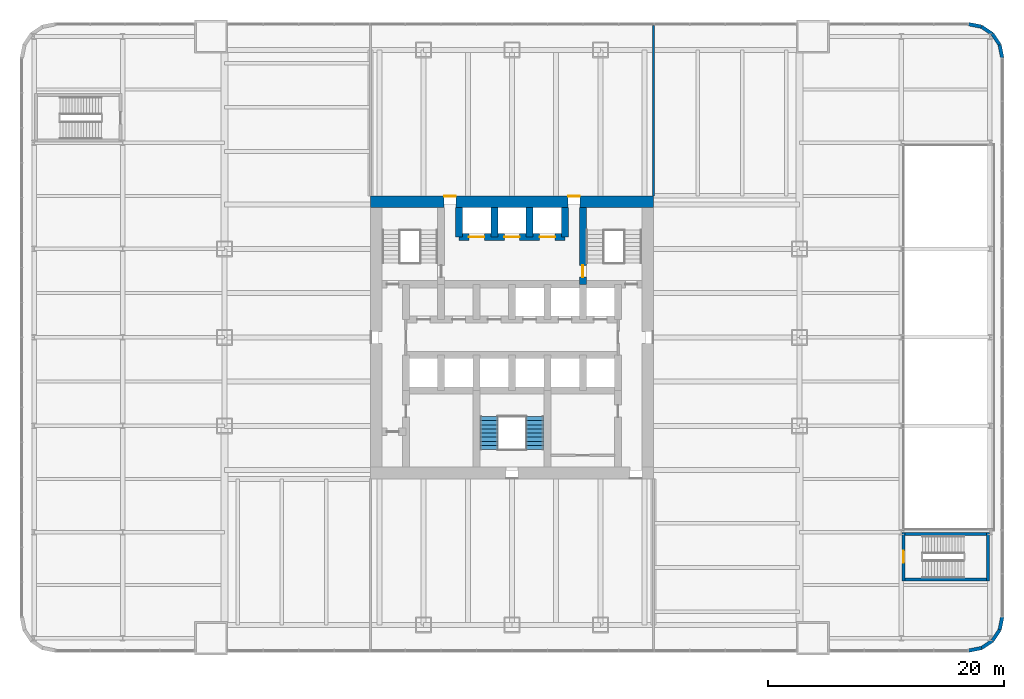
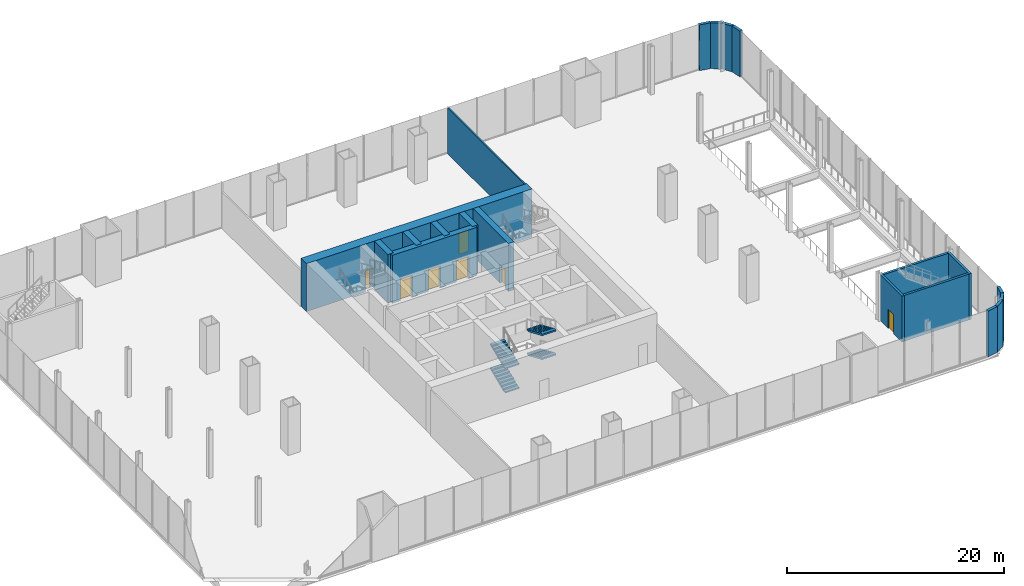
# One storey, part 13 of 16: 20 walls, 7 doors, 4 stair flights, 7 openings, 1 element without a shape of its own.
"""IFC4 building model written with IfcOpenShell, lengths in metres."""

from ifc_helpers import new_model, si_unit, direction, frame, frame_2d, origin, place, context, subcontext, project, spatial, polyline, rectangle, outline, extrude, material, layer, layer_set, type_object, element, fill, aggregate, save


model = new_model("IFC4")

# Units and contexts
model_context = context("Model", 3, precision=1e-05, world=origin(), true_north=direction((0.0, 1.0)))
body_context = subcontext(model_context, "Body", "Model", "MODEL_VIEW")
ifc_project = project(units=[si_unit("LENGTHUNIT", "METRE"), si_unit("AREAUNIT", "SQUARE_METRE"), si_unit("VOLUMEUNIT", "CUBIC_METRE"), si_unit("PLANEANGLEUNIT", "RADIAN"), si_unit("MASSUNIT", "GRAM", prefix="KILO")], contexts=[model_context])

# Site, building, storey
site_placement = place(None, origin())
site = spatial("IfcSite", under=ifc_project, at=site_placement, CompositionType="ELEMENT")
building_placement = place(site_placement, origin())
building = spatial("IfcBuilding", under=site, at=building_placement, Name="Tarangal Relay Tower", CompositionType="ELEMENT")
storey_placement = place(building_placement, frame((0.0, 0.0, 7.199951171875)))
storey = spatial("IfcBuildingStorey", under=building, at=storey_placement, Name="L01", CompositionType="ELEMENT", Elevation=7.199951171875)

# Wall, openings, doors
ifc_material_1 = material(Name="Concrete fc' 60 MPa", Category="concrete")
ifc_layer_1 = layer(ifc_material_1, 0.60009765625)
ifc_layer_set_1 = layer_set([ifc_layer_1], Name="Core inner wall 600")
wall_type_1 = type_object("IfcWallType", Name="Core inner wall 600", PredefinedType="SHEAR", material=ifc_layer_set_1)
wall_1_placement = place(storey_placement, frame((-4.5, 8.5, 0.0), z_axis=(0.0, 0.0, 1.0), x_axis=(1.0, 0.0, 0.0)))
wall_1 = element("IfcWall", 1, at=wall_1_placement, inside=storey, type_object=wall_type_1, Name="Core wall Y85 L01", PredefinedType="SHEAR", context=body_context, shape_type="SweptSolid", body=[
    extrude(rectangle(XDim=9.0, YDim=0.60009765625, at=frame_2d((4.5, 0.0))), origin(), (0.0, 0.0, 1.0), 5.400146484375),
])
opening_1_placement = place(wall_1_placement, frame((0.85009765625, 0.0, 0.0)))
opening_1 = element("IfcOpeningElement", 2, at=opening_1_placement, cuts=wall_1, Name="Opening LD2", PredefinedType="OPENING", context=body_context, shape_type="SweptSolid", body=[
    extrude(rectangle(XDim=1.300048828125, YDim=2.39990234375, at=frame_2d((0.64990234375, 1.199951171875))), frame((0.0, 0.31005859375, 0.0), z_axis=(0.0, -1.0, 0.0), x_axis=(1.0, 0.0, 0.0)), (0.0, 0.0, 1.0), 0.6201171875),
])
opening_2_placement = place(wall_1_placement, frame((6.85009765625, 0.0, 0.0)))
opening_2 = element("IfcOpeningElement", 3, at=opening_2_placement, cuts=wall_1, Name="Opening LD2", PredefinedType="OPENING", context=body_context, shape_type="SweptSolid", body=[
    extrude(rectangle(XDim=1.300048828125, YDim=2.39990234375, at=frame_2d((0.64990234375, 1.199951171875))), frame((0.0, 0.31005859375, 0.0), z_axis=(0.0, -1.0, 0.0), x_axis=(1.0, 0.0, 0.0)), (0.0, 0.0, 1.0), 0.6201171875),
])
opening_3_placement = place(wall_1_placement, frame((3.85009765625, 0.0, 0.0)))
opening_3 = element("IfcOpeningElement", 4, at=opening_3_placement, cuts=wall_1, Name="Opening LD2", PredefinedType="OPENING", context=body_context, shape_type="SweptSolid", body=[
    extrude(rectangle(XDim=1.300048828125, YDim=2.39990234375, at=frame_2d((0.64990234375, 1.199951171875))), frame((0.0, 0.31005859375, 0.0), z_axis=(0.0, -1.0, 0.0), x_axis=(1.0, 0.0, 0.0)), (0.0, 0.0, 1.0), 0.6201171875),
])
ifc_material_2 = material(Name="Steel door with hardwood frame", Category="steel")
door_type_1 = type_object("IfcDoorType", Name="Lift landing door 1300 x 2400", OperationType="SLIDING_TO_LEFT", PredefinedType="DOOR", material=ifc_material_2)
door_1_placement = place(opening_1_placement, origin())
door_1 = element("IfcDoor", 5, at=door_1_placement, inside=storey, type_object=door_type_1, Name="Lift FF1 landing door L01", OperationType="SLIDING_TO_LEFT", OverallHeight=2.39990234375, OverallWidth=1.300048828125, PredefinedType="DOOR", context=body_context, shape_type="SweptSolid", body=[
    extrude(rectangle(XDim=1.300048828125, YDim=2.39990234375, at=frame_2d((0.64990234375, 1.199951171875))), frame((0.0, 0.02490234375, 0.0), z_axis=(0.0, -1.0, 0.0), x_axis=(1.0, 0.0, 0.0)), (0.0, 0.0, 1.0), 0.050048828125),
])
fill(opening_1, door_1)
door_2_placement = place(opening_2_placement, origin())
door_2 = element("IfcDoor", 6, at=door_2_placement, inside=storey, type_object=door_type_1, Name="Lift FF2 landing door L01", OperationType="SLIDING_TO_LEFT", OverallHeight=2.39990234375, OverallWidth=1.300048828125, PredefinedType="DOOR", context=body_context, shape_type="SweptSolid", body=[
    extrude(rectangle(XDim=1.300048828125, YDim=2.39990234375, at=frame_2d((0.64990234375, 1.199951171875))), frame((0.0, 0.02490234375, 0.0), z_axis=(0.0, -1.0, 0.0), x_axis=(1.0, 0.0, 0.0)), (0.0, 0.0, 1.0), 0.050048828125),
])
fill(opening_2, door_2)
door_3_placement = place(opening_3_placement, origin())
door_3 = element("IfcDoor", 7, at=door_3_placement, inside=storey, type_object=door_type_1, Name="Lift SV1 landing door L01", OperationType="SLIDING_TO_LEFT", OverallHeight=2.39990234375, OverallWidth=1.300048828125, PredefinedType="DOOR", context=body_context, shape_type="SweptSolid", body=[
    extrude(rectangle(XDim=1.300048828125, YDim=2.39990234375, at=frame_2d((0.64990234375, 1.199951171875))), frame((0.0, 0.02490234375, 0.0), z_axis=(0.0, -1.0, 0.0), x_axis=(1.0, 0.0, 0.0)), (0.0, 0.0, 1.0), 0.050048828125),
])
fill(opening_3, door_3)

# Wall, opening, door
wall_2_placement = place(storey_placement, frame((6.0, 4.5, 0.0), z_axis=(0.0, 0.0, 1.0), x_axis=(0.0, 1.0, 0.0)))
wall_2 = element("IfcWall", 8, at=wall_2_placement, inside=storey, type_object=wall_type_1, Name="Core wall X6 L01", PredefinedType="SHEAR", context=body_context, shape_type="SweptSolid", body=[
    extrude(rectangle(XDim=6.5, YDim=0.60009765625, at=frame_2d((3.25, 0.0))), origin(), (0.0, 0.0, 1.0), 5.400146484375),
])
opening_4_placement = place(wall_2_placement, frame((0.60009765625, 0.0, 0.0)))
opening_4 = element("IfcOpeningElement", 9, at=opening_4_placement, cuts=wall_2, Name="Opening FD1", PredefinedType="OPENING", context=body_context, shape_type="SweptSolid", body=[
    extrude(rectangle(XDim=1.0, YDim=2.10009765625, at=frame_2d((0.5, 1.050048828125))), frame((0.0, 0.31005859375, 0.0), z_axis=(0.0, -1.0, 0.0), x_axis=(1.0, 0.0, 0.0)), (0.0, 0.0, 1.0), 0.6201171875),
])
door_type_2 = type_object("IfcDoorType", Name="Fire door 1000 x 2100", OperationType="SINGLE_SWING_LEFT", PredefinedType="DOOR", material=ifc_material_2)
door_4_placement = place(opening_4_placement, origin())
door_4 = element("IfcDoor", 10, at=door_4_placement, inside=storey, type_object=door_type_2, Name="Stair ST-B door from fire-fighting lobby L01", OperationType="SINGLE_SWING_LEFT", OverallHeight=2.10009765625, OverallWidth=1.0, PredefinedType="DOOR", context=body_context, shape_type="SweptSolid", body=[
    extrude(rectangle(XDim=1.0, YDim=2.10009765625, at=frame_2d((0.5, 1.050048828125))), frame((0.0, 0.02490234375, 0.0), z_axis=(0.0, -1.0, 0.0), x_axis=(1.0, 0.0, 0.0)), (0.0, 0.0, 1.0), 0.050048828125),
])
fill(opening_4, door_4)

# Walls
for number, where, z_axis, x_axis, name in (
    (11, (-4.5, 8.5, 0.0), (0.0, 0.0, 1.0), (0.0, 1.0, 0.0), "Core wall XM45 L01"),
    (12, (4.5, 8.5, 0.0), (0.0, 0.0, 1.0), (0.0, 1.0, 0.0), "Core wall X45 L01"),
    (13, (-1.5, 8.5, 0.0), (0.0, 0.0, 1.0), (0.0, 1.0, 0.0), "Core wall XM15 L01"),
    (14, (1.5, 8.5, 0.0), (0.0, 0.0, 1.0), (0.0, 1.0, 0.0), "Core wall X15 L01"),
):
    element("IfcWall", number, at=place(storey_placement, frame(where, z_axis=z_axis, x_axis=x_axis)), inside=storey, type_object=wall_type_1, Name=name, PredefinedType="SHEAR", context=body_context, shape_type="SweptSolid", body=[
        extrude(rectangle(XDim=2.5, YDim=0.60009765625, at=frame_2d((1.25, 0.0))), origin(), (0.0, 0.0, 1.0), 5.400146484375),
    ])

# Wall, openings, doors
ifc_layer_2 = layer(ifc_material_1, 1.0)
ifc_layer_set_2 = layer_set([ifc_layer_2], Name="Core wall 1000")
wall_type_2 = type_object("IfcWallType", Name="Core wall 1000", PredefinedType="SHEAR", material=ifc_layer_set_2)
wall_3_placement = place(storey_placement, frame((-12.0, 11.5, 0.0), z_axis=(0.0, 0.0, 1.0), x_axis=(1.0, 0.0, 0.0)))
wall_3 = element("IfcWall", 15, at=wall_3_placement, inside=storey, type_object=wall_type_2, Name="Core wall N L01", PredefinedType="SHEAR", context=body_context, shape_type="SweptSolid", body=[
    extrude(rectangle(XDim=24.0, YDim=1.0, at=frame_2d((12.0, 0.0))), origin(), (0.0, 0.0, 1.0), 5.400146484375),
])
opening_5_placement = place(wall_3_placement, frame((6.25, 0.0, 0.0)))
opening_5 = element("IfcOpeningElement", 16, at=opening_5_placement, cuts=wall_3, Name="Opening FD3", PredefinedType="OPENING", context=body_context, shape_type="SweptSolid", body=[
    extrude(rectangle(XDim=1.0, YDim=2.39990234375, at=frame_2d((0.5, 1.199951171875))), frame((0.0, 0.510009765625, 0.0), z_axis=(0.0, -1.0, 0.0), x_axis=(1.0, 0.0, 0.0)), (0.0, 0.0, 1.0), 1.02001953125),
])
opening_6_placement = place(wall_3_placement, frame((16.75, 0.0, 0.0)))
opening_6 = element("IfcOpeningElement", 17, at=opening_6_placement, cuts=wall_3, Name="Opening FD3", PredefinedType="OPENING", context=body_context, shape_type="SweptSolid", body=[
    extrude(rectangle(XDim=1.0, YDim=2.39990234375, at=frame_2d((0.5, 1.199951171875))), frame((0.0, 0.510009765625, 0.0), z_axis=(0.0, -1.0, 0.0), x_axis=(1.0, 0.0, 0.0)), (0.0, 0.0, 1.0), 1.02001953125),
])
door_type_3 = type_object("IfcDoorType", Name="Fire door 1000 x 2400 core entry", OperationType="SINGLE_SWING_RIGHT", PredefinedType="DOOR", material=ifc_material_2)
door_5_placement = place(opening_5_placement, origin())
door_5 = element("IfcDoor", 18, at=door_5_placement, inside=storey, type_object=door_type_3, Name="Core entry door north west L01", OperationType="SINGLE_SWING_RIGHT", OverallHeight=2.39990234375, OverallWidth=1.0, PredefinedType="DOOR", context=body_context, shape_type="SweptSolid", body=[
    extrude(rectangle(XDim=1.0, YDim=2.39990234375, at=frame_2d((0.5, 1.199951171875))), frame((0.0, 0.48486328125, 0.0), z_axis=(0.0, -1.0, 0.0), x_axis=(1.0, 0.0, 0.0)), (0.0, 0.0, 1.0), 0.050048828125),
])
fill(opening_5, door_5)
door_6_placement = place(opening_6_placement, origin())
door_6 = element("IfcDoor", 19, at=door_6_placement, inside=storey, type_object=door_type_3, Name="Core entry door north east L01", OperationType="SINGLE_SWING_RIGHT", OverallHeight=2.39990234375, OverallWidth=1.0, PredefinedType="DOOR", context=body_context, shape_type="SweptSolid", body=[
    extrude(rectangle(XDim=1.0, YDim=2.39990234375, at=frame_2d((0.5, 1.199951171875))), frame((0.0, 0.48486328125, 0.0), z_axis=(0.0, -1.0, 0.0), x_axis=(1.0, 0.0, 0.0)), (0.0, 0.0, 1.0), 0.050048828125),
])
fill(opening_6, door_6)

# Walls
ifc_material_3 = material(Name="Gypsum board on steel studs", Category="steel")
ifc_layer_3 = layer(ifc_material_3, 0.14990234375)
ifc_layer_set_3 = layer_set([ifc_layer_3], Name="Partition 150")
wall_type_3 = type_object("IfcWallType", Name="Partition 150", PredefinedType="PARTITIONING", material=ifc_layer_set_3)
wall_4_placement = place(storey_placement, frame((12.0, 12.0, 0.0), z_axis=(0.0, 0.0, 1.0), x_axis=(0.0, 1.0, 0.0)))
element("IfcWall", 20, at=wall_4_placement, inside=storey, type_object=wall_type_3, Name="Partition PT1 L01", PredefinedType="PARTITIONING", context=body_context, shape_type="SweptSolid", body=[
    extrude(rectangle(XDim=14.449951171875, YDim=0.14990234375, at=frame_2d((7.22509765625, 0.0))), origin(), (0.0, 0.0, 1.0), 5.150146484375),
])
ifc_material_4 = material(Name="Black granite clad concrete wall", Category="masonry")
ifc_layer_4 = layer(ifc_material_4, 0.300048828125)
ifc_layer_set_4 = layer_set([ifc_layer_4], Name="Podium wall 300")
wall_type_4 = type_object("IfcWallType", Name="Podium wall 300", PredefinedType="SOLIDWALL", material=ifc_layer_set_4)
for number, where, z_axis, x_axis, name in (
    (21, (41.550048828125, 23.699951171875, 0.0), (0.0, 0.0, 1.0), (-0.195187147506, 0.980766015647, 0.0), "Podium corner wall L01"),
    (22, (41.3330078125, 24.79052734375, 0.0), (0.0, 0.0, 1.0), (-0.555409243355, 0.831577159616, 0.0), "Podium corner wall L01"),
    (23, (40.71533203125, 25.71533203125, 0.0), (0.0, 0.0, 1.0), (-0.831577159616, 0.555409243355, 0.0), "Podium corner wall L01"),
    (24, (39.79052734375, 26.3330078125, 0.0), (0.0, 0.0, 1.0), (-0.980766015647, 0.195187147506, 0.0), "Podium corner wall L01"),
    (25, (38.699951171875, -26.550048828125, 0.0), (0.0, 0.0, 1.0), (0.980766015647, 0.195187147506, 0.0), "Podium corner wall L01"),
    (26, (39.79052734375, -26.3330078125, 0.0), (0.0, 0.0, 1.0), (0.831577159616, 0.555409243355, 0.0), "Podium corner wall L01"),
    (27, (40.71533203125, -25.71533203125, 0.0), (0.0, 0.0, 1.0), (0.555409243355, 0.831577159616, 0.0), "Podium corner wall L01"),
    (28, (41.3330078125, -24.79052734375, 0.0), (0.0, 0.0, 1.0), (0.195187147506, 0.980766015647, 0.0), "Podium corner wall L01"),
):
    element("IfcWall", number, at=place(storey_placement, frame(where, z_axis=z_axis, x_axis=x_axis)), inside=storey, type_object=wall_type_4, Name=name, PredefinedType="SOLIDWALL", context=body_context, shape_type="SweptSolid", body=[
        extrude(rectangle(XDim=1.112060546875, YDim=0.300048828125, at=frame_2d((0.55615234375, 0.0))), origin(), (0.0, 0.0, 1.0), 5.150146484375),
    ])

# Wall, opening, door
ifc_material_5 = material(Name="Concrete blockwork", Category="masonry")
ifc_layer_5 = layer(ifc_material_5, 0.25)
ifc_layer_set_5 = layer_set([ifc_layer_5], Name="Stair enclosure wall 250")
wall_type_5 = type_object("IfcWallType", Name="Stair enclosure wall 250", PredefinedType="SOLIDWALL", material=ifc_layer_set_5)
wall_5_placement = place(storey_placement, frame((33.175048828125, -20.64990234375, 0.0), z_axis=(0.0, 0.0, 1.0), x_axis=(0.0, 1.0, 0.0)))
wall_5 = element("IfcWall", 29, at=wall_5_placement, inside=storey, type_object=wall_type_5, Name="Stair ST-E enclosure wall L01", PredefinedType="SOLIDWALL", context=body_context, shape_type="SweptSolid", body=[
    extrude(rectangle(XDim=4.099853515625, YDim=0.25, at=frame_2d((2.0498046875, 0.0))), origin(), (0.0, 0.0, 1.0), 5.150146484375),
])
opening_7_placement = place(wall_5_placement, frame((1.550048828125, 0.0, 0.0)))
opening_7 = element("IfcOpeningElement", 30, at=opening_7_placement, cuts=wall_5, Name="Opening FD1", PredefinedType="OPENING", context=body_context, shape_type="SweptSolid", body=[
    extrude(rectangle(XDim=1.0, YDim=2.10009765625, at=frame_2d((0.5, 1.050048828125))), frame((0.0, 0.135009765625, 0.0), z_axis=(0.0, -1.0, 0.0), x_axis=(1.0, 0.0, 0.0)), (0.0, 0.0, 1.0), 0.27001953125),
])
door_7_placement = place(opening_7_placement, origin())
door_7 = element("IfcDoor", 31, at=door_7_placement, inside=storey, type_object=door_type_2, Name="Stair ST-E door L01", OperationType="SINGLE_SWING_LEFT", OverallHeight=2.10009765625, OverallWidth=1.0, PredefinedType="DOOR", context=body_context, shape_type="SweptSolid", body=[
    extrude(rectangle(XDim=1.0, YDim=2.10009765625, at=frame_2d((0.5, 1.050048828125))), frame((0.0, 0.02490234375, 0.0), z_axis=(0.0, -1.0, 0.0), x_axis=(1.0, 0.0, 0.0)), (0.0, 0.0, 1.0), 0.050048828125),
])
fill(opening_7, door_7)

# Walls
wall_6_placement = place(storey_placement, frame((40.324951171875, -20.64990234375, 0.0), z_axis=(0.0, 0.0, 1.0), x_axis=(0.0, 1.0, 0.0)))
element("IfcWall", 32, at=wall_6_placement, inside=storey, type_object=wall_type_5, Name="Stair ST-E enclosure wall L01", PredefinedType="SOLIDWALL", context=body_context, shape_type="SweptSolid", body=[
    extrude(rectangle(XDim=4.099853515625, YDim=0.25, at=frame_2d((2.0498046875, 0.0))), origin(), (0.0, 0.0, 1.0), 5.150146484375),
])
for number, where, z_axis, x_axis, name in (
    (33, (33.300048828125, -20.52490234375, 0.0), (0.0, 0.0, 1.0), (1.0, 0.0, 0.0), "Stair ST-E enclosure wall L01"),
    (34, (33.300048828125, -16.675048828125, 0.0), (0.0, 0.0, 1.0), (1.0, 0.0, 0.0), "Stair ST-E enclosure wall L01"),
):
    element("IfcWall", number, at=place(storey_placement, frame(where, z_axis=z_axis, x_axis=x_axis)), inside=storey, type_object=wall_type_5, Name=name, PredefinedType="SOLIDWALL", context=body_context, shape_type="SweptSolid", body=[
        extrude(rectangle(XDim=6.89990234375, YDim=0.25, at=frame_2d((3.449951171875, 0.0))), origin(), (0.0, 0.0, 1.0), 5.150146484375),
    ])

# Stair, stair flights
ifc_material_6 = material(Name="Steel ASTM A992 stair flight", Category="steel")
stair_type = type_object("IfcStairType", Name="Core stair 1500", PredefinedType="HALF_TURN_STAIR", material=ifc_material_6)
stair_placement = place(storey_placement, origin())
stair = element("IfcStair", 35, at=stair_placement, inside=storey, type_object=stair_type, Name="Stair ST-C L01", PredefinedType="HALF_TURN_STAIR")
stair_flight_type = type_object("IfcStairFlightType", Name="Steel stair flight 1500, 9 risers 150 x 348", PredefinedType="STRAIGHT", material=ifc_material_6)
stair_flight_1_placement = place(storey_placement, frame((-1.949951171875, -9.5, 0.0), z_axis=(0.0, 0.0, 1.0), x_axis=(0.0, 1.0, 0.0)))
stair_flight_1 = element("IfcStairFlight", 36, at=stair_flight_1_placement, type_object=stair_flight_type, Name="ST-C flight 1", NumberOfRisers=9, NumberOfTreads=8, PredefinedType="STRAIGHT", RiserHeight=0.15, TreadLength=0.348, context=body_context, shape_type="SweptSolid", body=[
    extrude(outline(polyline([(0.0, 0.0), (0.0, 0.14990234375), (0.347900390625, 0.14990234375), (0.347900390625, 0.300048828125), (0.696044921875, 0.300048828125), (0.696044921875, 0.449951171875), (1.0439453125, 0.449951171875), (1.0439453125, 0.60009765625), (1.39208984375, 0.60009765625), (1.39208984375, 0.75), (1.739990234375, 0.75), (1.739990234375, 0.89990234375), (2.087890625, 0.89990234375), (2.087890625, 1.050048828125), (2.43603515625, 1.050048828125), (2.43603515625, 1.199951171875), (2.783935546875, 1.199951171875), (2.783935546875, 1.35009765625), (2.783935546875, 1.036865234375), (0.378662109375, 0.0), (0.0, 0.0)])), frame((0.0, 0.75, 0.0), z_axis=(0.0, -1.0, 0.0), x_axis=(1.0, 0.0, 0.0)), (0.0, 0.0, 1.0), 1.5),
])
stair_flight_2_placement = place(storey_placement, frame((1.949951171875, -6.716064453125, 1.35009765625), z_axis=(0.0, 0.0, 1.0), x_axis=(0.0, -1.0, 0.0)))
stair_flight_2 = element("IfcStairFlight", 37, at=stair_flight_2_placement, type_object=stair_flight_type, Name="ST-C flight 2", NumberOfRisers=9, NumberOfTreads=8, PredefinedType="STRAIGHT", RiserHeight=0.15, TreadLength=0.348, context=body_context, shape_type="SweptSolid", body=[
    extrude(outline(polyline([(0.0, 0.0), (0.0, 0.14990234375), (0.347900390625, 0.14990234375), (0.347900390625, 0.300048828125), (0.696044921875, 0.300048828125), (0.696044921875, 0.449951171875), (1.0439453125, 0.449951171875), (1.0439453125, 0.60009765625), (1.39208984375, 0.60009765625), (1.39208984375, 0.75), (1.739990234375, 0.75), (1.739990234375, 0.89990234375), (2.087890625, 0.89990234375), (2.087890625, 1.050048828125), (2.43603515625, 1.050048828125), (2.43603515625, 1.199951171875), (2.783935546875, 1.199951171875), (2.783935546875, 1.35009765625), (2.783935546875, 1.036865234375), (0.378662109375, 0.0), (0.0, 0.0)])), frame((0.0, 0.75, 0.0), z_axis=(0.0, -1.0, 0.0), x_axis=(1.0, 0.0, 0.0)), (0.0, 0.0, 1.0), 1.5),
])
stair_flight_3_placement = place(storey_placement, frame((-1.949951171875, -9.5, 2.699951171875), z_axis=(0.0, 0.0, 1.0), x_axis=(0.0, 1.0, 0.0)))
stair_flight_3 = element("IfcStairFlight", 38, at=stair_flight_3_placement, type_object=stair_flight_type, Name="ST-C flight 3", NumberOfRisers=9, NumberOfTreads=8, PredefinedType="STRAIGHT", RiserHeight=0.15, TreadLength=0.348, context=body_context, shape_type="SweptSolid", body=[
    extrude(outline(polyline([(0.0, 0.0), (0.0, 0.14990234375), (0.347900390625, 0.14990234375), (0.347900390625, 0.300048828125), (0.696044921875, 0.300048828125), (0.696044921875, 0.449951171875), (1.0439453125, 0.449951171875), (1.0439453125, 0.60009765625), (1.39208984375, 0.60009765625), (1.39208984375, 0.75), (1.739990234375, 0.75), (1.739990234375, 0.89990234375), (2.087890625, 0.89990234375), (2.087890625, 1.050048828125), (2.43603515625, 1.050048828125), (2.43603515625, 1.199951171875), (2.783935546875, 1.199951171875), (2.783935546875, 1.35009765625), (2.783935546875, 1.036865234375), (0.378662109375, 0.0), (0.0, 0.0)])), frame((0.0, 0.75, 0.0), z_axis=(0.0, -1.0, 0.0), x_axis=(1.0, 0.0, 0.0)), (0.0, 0.0, 1.0), 1.5),
])
stair_flight_4_placement = place(storey_placement, frame((1.949951171875, -6.716064453125, 4.050048828125), z_axis=(0.0, 0.0, 1.0), x_axis=(0.0, -1.0, 0.0)))
stair_flight_4 = element("IfcStairFlight", 39, at=stair_flight_4_placement, type_object=stair_flight_type, Name="ST-C flight 4", NumberOfRisers=9, NumberOfTreads=8, PredefinedType="STRAIGHT", RiserHeight=0.15, TreadLength=0.348, context=body_context, shape_type="SweptSolid", body=[
    extrude(outline(polyline([(0.0, 0.0), (0.0, 0.14990234375), (0.347900390625, 0.14990234375), (0.347900390625, 0.300048828125), (0.696044921875, 0.300048828125), (0.696044921875, 0.449951171875), (1.0439453125, 0.449951171875), (1.0439453125, 0.60009765625), (1.39208984375, 0.60009765625), (1.39208984375, 0.75), (1.739990234375, 0.75), (1.739990234375, 0.89990234375), (2.087890625, 0.89990234375), (2.087890625, 1.050048828125), (2.43603515625, 1.050048828125), (2.43603515625, 1.199951171875), (2.783935546875, 1.199951171875), (2.783935546875, 1.35009765625), (2.783935546875, 1.036865234375), (0.378662109375, 0.0), (0.0, 0.0)])), frame((0.0, 0.75, 0.0), z_axis=(0.0, -1.0, 0.0), x_axis=(1.0, 0.0, 0.0)), (0.0, 0.0, 1.0), 1.5),
])
aggregate(stair, [stair_flight_1, stair_flight_2, stair_flight_3, stair_flight_4])

save(model, "model.ifc")
